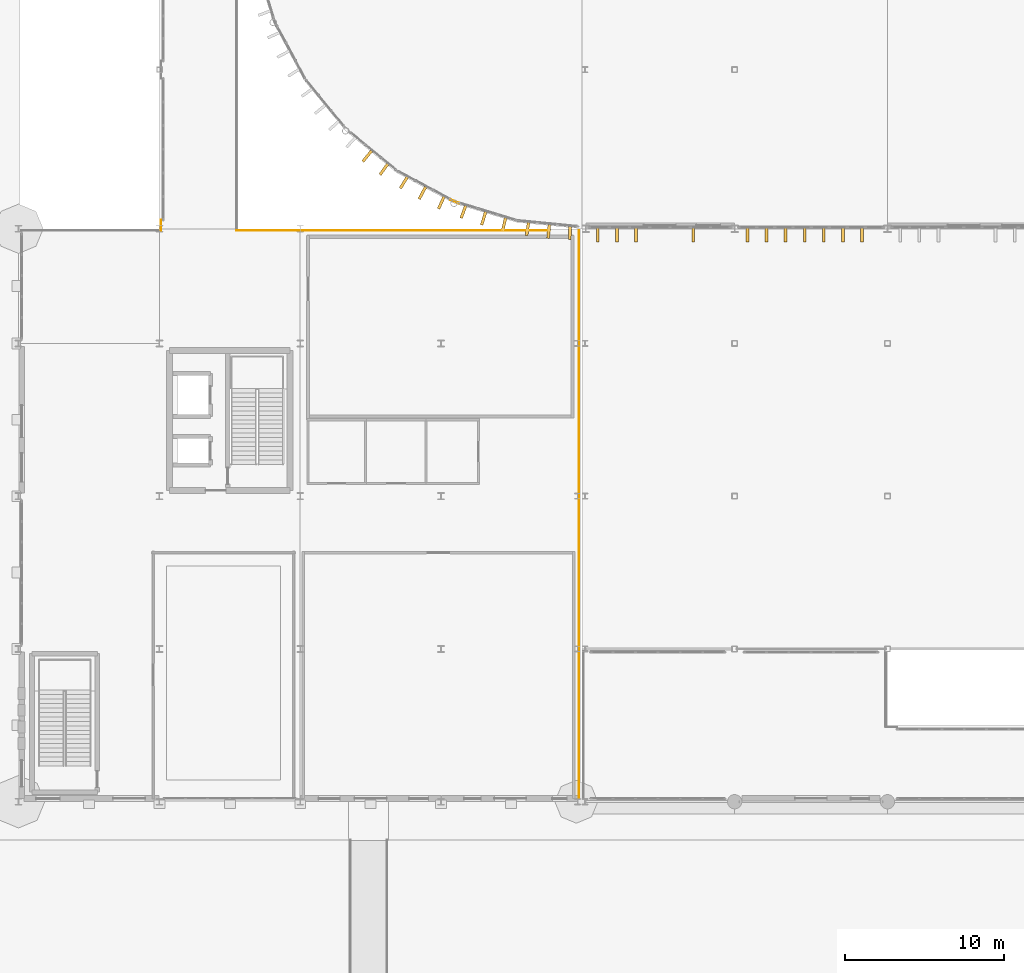
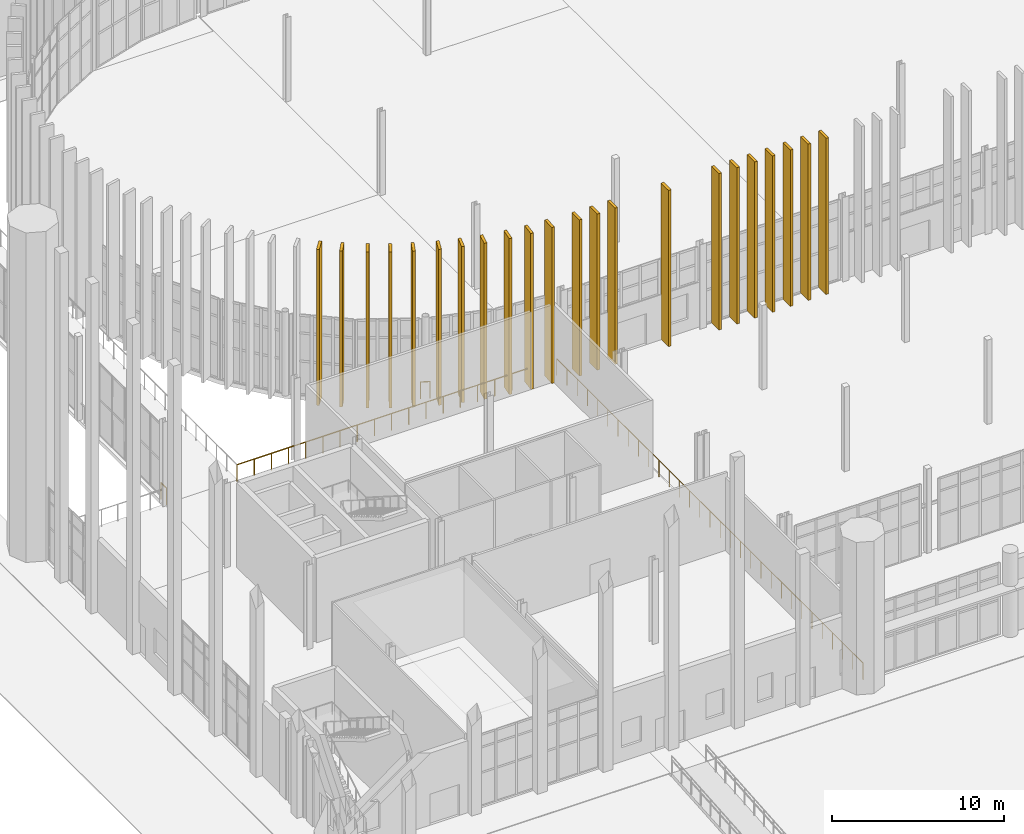
# One storey, part 112 of 139: 22 coverings, 4 railings.
"""IFC4 building model written with IfcOpenShell, lengths in metres."""

from ifc_helpers import new_model, si_unit, direction, frame, origin, origin_2d, place, context, subcontext, project, spatial, rectangle, circle, extrude, material, layer, layer_set, type_object, element, save


model = new_model("IFC4")

# Units and contexts
model_context = context("Model", 3, precision=1e-05, world=origin(), true_north=direction((0.0, 1.0)))
body_context = subcontext(model_context, "Body", "Model", "MODEL_VIEW")
ifc_project = project(units=[si_unit("LENGTHUNIT", "METRE"), si_unit("AREAUNIT", "SQUARE_METRE"), si_unit("VOLUMEUNIT", "CUBIC_METRE"), si_unit("PLANEANGLEUNIT", "RADIAN"), si_unit("MASSUNIT", "GRAM", prefix="KILO")], contexts=[model_context])

# Site, building, storey
site_placement = place(None, origin())
site = spatial("IfcSite", under=ifc_project, at=site_placement, CompositionType="ELEMENT")
building_placement = place(site_placement, origin())
building = spatial("IfcBuilding", under=site, at=building_placement, Name="Yeouljin Market Hall", CompositionType="ELEMENT")
storey_placement = place(building_placement, origin())
storey = spatial("IfcBuildingStorey", under=building, at=storey_placement, Name="L00", CompositionType="ELEMENT", Elevation=0.0)

# Coverings
ifc_material_1 = material(Name="White Limestone and Bronze Solar Fin", Category="masonry")
ifc_layer = layer(ifc_material_1, 0.179931640625)
ifc_layer_set = layer_set([ifc_layer], Name="White Limestone and Bronze Solar Fin")
covering_type = type_object("IfcCoveringType", Name="Covering_Limestone_SolarFin", PredefinedType="CLADDING", material=ifc_layer_set)
for number, where, z_axis, x_axis, name in (
    (1, (36.39990234375, 35.60009765625, 0.0), (0.0, 0.0, 1.0), (1.0, 0.0, 0.0), "Hall south vertical lantern fin 001"),
    (2, (37.60009765625, 35.60009765625, 0.0), (0.0, 0.0, 1.0), (1.0, 0.0, 0.0), "Hall south vertical lantern fin 002"),
    (3, (38.800048828125, 35.60009765625, 0.0), (0.0, 0.0, 1.0), (1.0, 0.0, 0.0), "Hall south vertical lantern fin 003"),
    (4, (42.39990234375, 35.60009765625, 0.0), (0.0, 0.0, 1.0), (1.0, 0.0, 0.0), "Hall south vertical lantern fin 004"),
    (5, (45.800048828125, 35.60009765625, 0.0), (0.0, 0.0, 1.0), (1.0, 0.0, 0.0), "Hall south vertical lantern fin 011"),
    (6, (47.0, 35.60009765625, 0.0), (0.0, 0.0, 1.0), (1.0, 0.0, 0.0), "Hall south vertical lantern fin 012"),
    (7, (48.199951171875, 35.60009765625, 0.0), (0.0, 0.0, 1.0), (1.0, 0.0, 0.0), "Hall south vertical lantern fin 013"),
    (8, (49.39990234375, 35.60009765625, 0.0), (0.0, 0.0, 1.0), (1.0, 0.0, 0.0), "Hall south vertical lantern fin 014"),
    (9, (50.60009765625, 35.60009765625, 0.0), (0.0, 0.0, 1.0), (1.0, 0.0, 0.0), "Hall south vertical lantern fin 015"),
    (10, (51.800048828125, 35.60009765625, 0.0), (0.0, 0.0, 1.0), (1.0, 0.0, 0.0), "Hall south vertical lantern fin 016"),
    (11, (53.0, 35.60009765625, 0.0), (0.0, 0.0, 1.0), (1.0, 0.0, 0.0), "Hall south vertical lantern fin 017"),
):
    element("IfcCovering", number, at=place(storey_placement, frame(where, z_axis=z_axis, x_axis=x_axis)), inside=storey, type_object=covering_type, Name=name, PredefinedType="CLADDING", context=body_context, shape_type="SweptSolid", body=[
        extrude(rectangle(XDim=0.179931640625, YDim=0.8798828125, at=origin_2d()), origin(), (0.0, 0.0, 1.0), 11.1201171875),
    ])
for number, where, z_axis, x_axis, name in (
    (12, (34.648681640625, 35.75341796875, 0.0), (0.0, 0.0, 1.0), (-0.035422771708, -0.999372416692, 0.0), "Apse radial vertical lantern fin west 090"),
    (13, (33.316162109375, 35.84228515625, 0.0), (0.0, 0.0, 1.0), (-0.097930293706, -0.995193276492, 0.0), "Apse radial vertical lantern fin west 091"),
    (14, (31.99169921875, 36.014892578125, 0.0), (0.0, 0.0, 1.0), (-0.160225753504, -0.987080395872, 0.0), "Apse radial vertical lantern fin west 092"),
    (15, (30.518310546875, 36.30810546875, 0.0), (0.0, 0.0, 1.0), (-0.229710019669, -0.973259115993, 0.0), "Apse radial vertical lantern fin west 093"),
    (16, (29.228515625, 36.655517578125, 0.0), (0.0, 0.0, 1.0), (-0.290368184947, -0.956914999972, 0.0), "Apse radial vertical lantern fin west 094"),
    (17, (27.96337890625, 37.0830078125, 0.0), (0.0, 0.0, 1.0), (-0.349716892865, -0.936855428999, 0.0), "Apse radial vertical lantern fin west 095"),
    (18, (26.5751953125, 37.658203125, 0.0), (0.0, 0.0, 1.0), (-0.415169640396, -0.909744013277, 0.0), "Apse radial vertical lantern fin west 096"),
    (19, (25.378173828125, 38.25048828125, 0.0), (0.0, 0.0, 1.0), (-0.471319772882, -0.881962398116, 0.0), "Apse radial vertical lantern fin west 097"),
    (20, (24.220703125, 38.91650390625, 0.0), (0.0, 0.0, 1.0), (-0.525768608156, -0.850627633385, 0.0), "Apse radial vertical lantern fin west 098"),
    (21, (22.97119140625, 39.75146484375, 0.0), (0.0, 0.0, 1.0), (-0.584532922799, -0.811369990919, 0.0), "Apse radial vertical lantern fin west 099"),
    (22, (21.912841796875, 40.56591796875, 0.0), (0.0, 0.0, 1.0), (-0.634460739636, -0.772955089162, 0.0), "Apse radial vertical lantern fin west 100"),
):
    element("IfcCovering", number, at=place(storey_placement, frame(where, z_axis=z_axis, x_axis=x_axis)), inside=storey, type_object=covering_type, Name=name, PredefinedType="CLADDING", context=body_context, shape_type="SweptSolid", body=[
        extrude(rectangle(XDim=0.8798828125, YDim=0.179931640625, at=origin_2d()), origin(), (0.0, 0.0, 1.0), 11.10009765625),
    ])

# Railings
ifc_material_2 = material(Name="Wrought Iron and Bronze Gallery Balustrade")
railing_type = type_object("IfcRailingType", Name="Railing_AtriumBalustrade_1200", PredefinedType="BALUSTRADE", material=ifc_material_2)
railing_1_placement = place(storey_placement, frame((27.671875, 37.609619140625, 0.0)))
element("IfcRailing", 23, at=railing_1_placement, inside=storey, type_object=railing_type, Name="Gallery & deck edge balustrade L00-033", PredefinedType="BALUSTRADE", context=body_context, shape_type="SweptSolid", body=[
    extrude(circle(Radius=0.02392578125, at=origin_2d()), frame((0.0, 0.0, 1.17578125), z_axis=(-0.923937282838, 0.382543980977, 0.0), x_axis=(-0.382543980977, -0.923937282838, 0.0)), (0.0, 0.0, 1.0), 0.56103515625),
    extrude(circle(Radius=0.02099609375, at=origin_2d()), origin(), (0.0, 0.0, 1.0), 1.15185546875),
    extrude(circle(Radius=0.02099609375, at=origin_2d()), frame((-0.518310546875, 0.214599609375, 0.0)), (0.0, 0.0, 1.0), 1.15185546875),
])
railing_2_placement = place(storey_placement, frame((8.949951171875, 35.89990234375, 0.0)))
element("IfcRailing", 24, at=railing_2_placement, inside=storey, type_object=railing_type, Name="Gallery & deck edge balustrade L00-043", PredefinedType="BALUSTRADE", context=body_context, shape_type="SweptSolid", body=[
    extrude(circle(Radius=0.02392578125, at=origin_2d()), frame((0.0, 0.0, 1.17578125), z_axis=(0.0, 1.0, 0.0), x_axis=(-1.0, 0.0, 0.0)), (0.0, 0.0, 1.0), 0.650146484375),
    extrude(circle(Radius=0.02099609375, at=origin_2d()), origin(), (0.0, 0.0, 1.0), 1.15185546875),
    extrude(circle(Radius=0.02099609375, at=origin_2d()), frame((0.0, 0.650146484375, 0.0)), (0.0, 0.0, 1.0), 1.15185546875),
])
railing_3_placement = place(storey_placement, frame((13.699951171875, 35.89990234375, 0.0)))
element("IfcRailing", 25, at=railing_3_placement, inside=storey, type_object=railing_type, Name="Gallery & deck edge balustrade L00-057", PredefinedType="BALUSTRADE", context=body_context, shape_type="SweptSolid", body=[
    extrude(circle(Radius=0.02392578125, at=origin_2d()), frame((0.0, 0.0, 1.17578125), z_axis=(1.0, 0.0, 0.0), x_axis=(0.0, 1.0, 0.0)), (0.0, 0.0, 1.0), 19.6484375),
    extrude(circle(Radius=0.02099609375, at=origin_2d()), origin(), (0.0, 0.0, 1.0), 1.15185546875),
    extrude(circle(Radius=0.02099609375, at=origin_2d()), frame((1.15576171875, 0.0, 0.0)), (0.0, 0.0, 1.0), 1.15185546875),
    extrude(circle(Radius=0.02099609375, at=origin_2d()), frame((2.3115234375, 0.0, 0.0)), (0.0, 0.0, 1.0), 1.15185546875),
    extrude(circle(Radius=0.02099609375, at=origin_2d()), frame((3.46728515625, 0.0, 0.0)), (0.0, 0.0, 1.0), 1.15185546875),
    extrude(circle(Radius=0.02099609375, at=origin_2d()), frame((4.623046875, 0.0, 0.0)), (0.0, 0.0, 1.0), 1.15185546875),
    extrude(circle(Radius=0.02099609375, at=origin_2d()), frame((5.779052734375, 0.0, 0.0)), (0.0, 0.0, 1.0), 1.15185546875),
    extrude(circle(Radius=0.02099609375, at=origin_2d()), frame((6.934814453125, 0.0, 0.0)), (0.0, 0.0, 1.0), 1.15185546875),
    extrude(circle(Radius=0.02099609375, at=origin_2d()), frame((8.090576171875, 0.0, 0.0)), (0.0, 0.0, 1.0), 1.15185546875),
    extrude(circle(Radius=0.02099609375, at=origin_2d()), frame((9.246337890625, 0.0, 0.0)), (0.0, 0.0, 1.0), 1.15185546875),
    extrude(circle(Radius=0.02099609375, at=origin_2d()), frame((10.402099609375, 0.0, 0.0)), (0.0, 0.0, 1.0), 1.15185546875),
    extrude(circle(Radius=0.02099609375, at=origin_2d()), frame((11.557861328125, 0.0, 0.0)), (0.0, 0.0, 1.0), 1.15185546875),
    extrude(circle(Radius=0.02099609375, at=origin_2d()), frame((12.713623046875, 0.0, 0.0)), (0.0, 0.0, 1.0), 1.15185546875),
    extrude(circle(Radius=0.02099609375, at=origin_2d()), frame((13.869384765625, 0.0, 0.0)), (0.0, 0.0, 1.0), 1.15185546875),
    extrude(circle(Radius=0.02099609375, at=origin_2d()), frame((15.025390625, 0.0, 0.0)), (0.0, 0.0, 1.0), 1.15185546875),
    extrude(circle(Radius=0.02099609375, at=origin_2d()), frame((16.18115234375, 0.0, 0.0)), (0.0, 0.0, 1.0), 1.15185546875),
    extrude(circle(Radius=0.02099609375, at=origin_2d()), frame((17.3369140625, 0.0, 0.0)), (0.0, 0.0, 1.0), 1.15185546875),
    extrude(circle(Radius=0.02099609375, at=origin_2d()), frame((18.49267578125, 0.0, 0.0)), (0.0, 0.0, 1.0), 1.15185546875),
    extrude(circle(Radius=0.02099609375, at=origin_2d()), frame((19.6484375, 0.0, 0.0)), (0.0, 0.0, 1.0), 1.15185546875),
])
railing_4_placement = place(storey_placement, frame((35.219970703125, 35.89990234375, 0.0)))
element("IfcRailing", 26, at=railing_4_placement, inside=storey, type_object=railing_type, Name="Gallery & deck edge balustrade L00-058", PredefinedType="BALUSTRADE", context=body_context, shape_type="SweptSolid", body=[
    extrude(circle(Radius=0.02392578125, at=origin_2d()), frame((0.0, 0.0, 1.17578125), z_axis=(0.0, -1.0, 0.0), x_axis=(1.0, 0.0, 0.0)), (0.0, 0.0, 1.0), 35.699951171875),
    extrude(circle(Radius=0.02099609375, at=origin_2d()), origin(), (0.0, 0.0, 1.0), 1.15185546875),
    extrude(circle(Radius=0.02099609375, at=origin_2d()), frame((0.0, -1.18994140625, 0.0)), (0.0, 0.0, 1.0), 1.15185546875),
    extrude(circle(Radius=0.02099609375, at=origin_2d()), frame((0.0, -2.3798828125, 0.0)), (0.0, 0.0, 1.0), 1.15185546875),
    extrude(circle(Radius=0.02099609375, at=origin_2d()), frame((0.0, -3.570068359375, 0.0)), (0.0, 0.0, 1.0), 1.15185546875),
    extrude(circle(Radius=0.02099609375, at=origin_2d()), frame((0.0, -4.760009765625, 0.0)), (0.0, 0.0, 1.0), 1.15185546875),
    extrude(circle(Radius=0.02099609375, at=origin_2d()), frame((0.0, -5.949951171875, 0.0)), (0.0, 0.0, 1.0), 1.15185546875),
    extrude(circle(Radius=0.02099609375, at=origin_2d()), frame((0.0, -7.139892578125, 0.0)), (0.0, 0.0, 1.0), 1.15185546875),
    extrude(circle(Radius=0.02099609375, at=origin_2d()), frame((0.0, -8.330078125, 0.0)), (0.0, 0.0, 1.0), 1.15185546875),
    extrude(circle(Radius=0.02099609375, at=origin_2d()), frame((0.0, -9.52001953125, 0.0)), (0.0, 0.0, 1.0), 1.15185546875),
    extrude(circle(Radius=0.02099609375, at=origin_2d()), frame((0.0, -10.7099609375, 0.0)), (0.0, 0.0, 1.0), 1.15185546875),
    extrude(circle(Radius=0.02099609375, at=origin_2d()), frame((0.0, -11.89990234375, 0.0)), (0.0, 0.0, 1.0), 1.15185546875),
    extrude(circle(Radius=0.02099609375, at=origin_2d()), frame((0.0, -13.090087890625, 0.0)), (0.0, 0.0, 1.0), 1.15185546875),
    extrude(circle(Radius=0.02099609375, at=origin_2d()), frame((0.0, -14.280029296875, 0.0)), (0.0, 0.0, 1.0), 1.15185546875),
    extrude(circle(Radius=0.02099609375, at=origin_2d()), frame((0.0, -15.469970703125, 0.0)), (0.0, 0.0, 1.0), 1.15185546875),
    extrude(circle(Radius=0.02099609375, at=origin_2d()), frame((0.0, -16.659912109375, 0.0)), (0.0, 0.0, 1.0), 1.15185546875),
    extrude(circle(Radius=0.02099609375, at=origin_2d()), frame((0.0, -17.85009765625, 0.0)), (0.0, 0.0, 1.0), 1.15185546875),
    extrude(circle(Radius=0.02099609375, at=origin_2d()), frame((0.0, -19.0400390625, 0.0)), (0.0, 0.0, 1.0), 1.15185546875),
    extrude(circle(Radius=0.02099609375, at=origin_2d()), frame((0.0, -20.22998046875, 0.0)), (0.0, 0.0, 1.0), 1.15185546875),
    extrude(circle(Radius=0.02099609375, at=origin_2d()), frame((0.0, -21.419921875, 0.0)), (0.0, 0.0, 1.0), 1.15185546875),
    extrude(circle(Radius=0.02099609375, at=origin_2d()), frame((0.0, -22.60986328125, 0.0)), (0.0, 0.0, 1.0), 1.15185546875),
    extrude(circle(Radius=0.02099609375, at=origin_2d()), frame((0.0, -23.800048828125, 0.0)), (0.0, 0.0, 1.0), 1.15185546875),
    extrude(circle(Radius=0.02099609375, at=origin_2d()), frame((0.0, -24.989990234375, 0.0)), (0.0, 0.0, 1.0), 1.15185546875),
    extrude(circle(Radius=0.02099609375, at=origin_2d()), frame((0.0, -26.179931640625, 0.0)), (0.0, 0.0, 1.0), 1.15185546875),
    extrude(circle(Radius=0.02099609375, at=origin_2d()), frame((0.0, -27.369873046875, 0.0)), (0.0, 0.0, 1.0), 1.15185546875),
    extrude(circle(Radius=0.02099609375, at=origin_2d()), frame((0.0, -28.56005859375, 0.0)), (0.0, 0.0, 1.0), 1.15185546875),
    extrude(circle(Radius=0.02099609375, at=origin_2d()), frame((0.0, -29.75, 0.0)), (0.0, 0.0, 1.0), 1.15185546875),
    extrude(circle(Radius=0.02099609375, at=origin_2d()), frame((0.0, -30.93994140625, 0.0)), (0.0, 0.0, 1.0), 1.15185546875),
    extrude(circle(Radius=0.02099609375, at=origin_2d()), frame((0.0, -32.1298828125, 0.0)), (0.0, 0.0, 1.0), 1.15185546875),
    extrude(circle(Radius=0.02099609375, at=origin_2d()), frame((0.0, -33.320068359375, 0.0)), (0.0, 0.0, 1.0), 1.15185546875),
    extrude(circle(Radius=0.02099609375, at=origin_2d()), frame((0.0, -34.510009765625, 0.0)), (0.0, 0.0, 1.0), 1.15185546875),
    extrude(circle(Radius=0.02099609375, at=origin_2d()), frame((0.0, -35.699951171875, 0.0)), (0.0, 0.0, 1.0), 1.15185546875),
])

save(model, "model.ifc")
